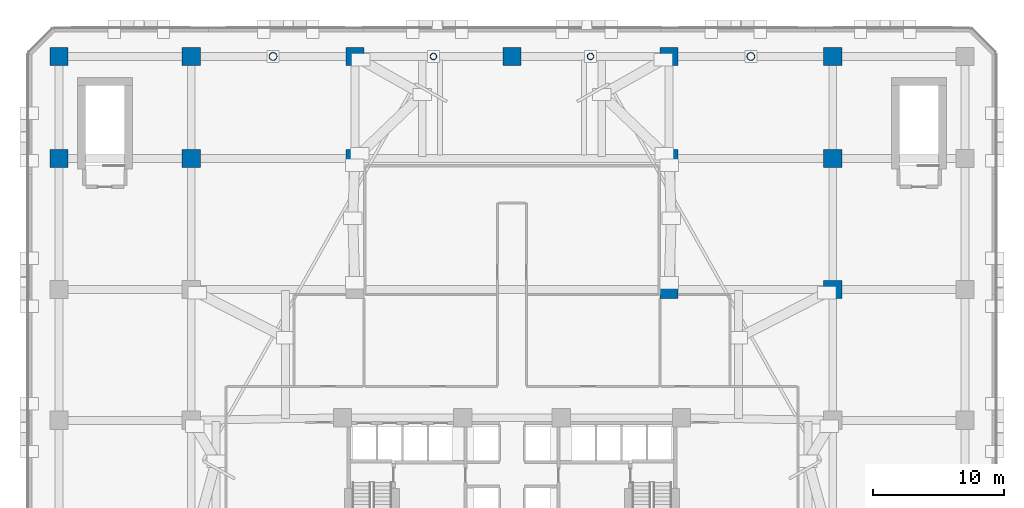
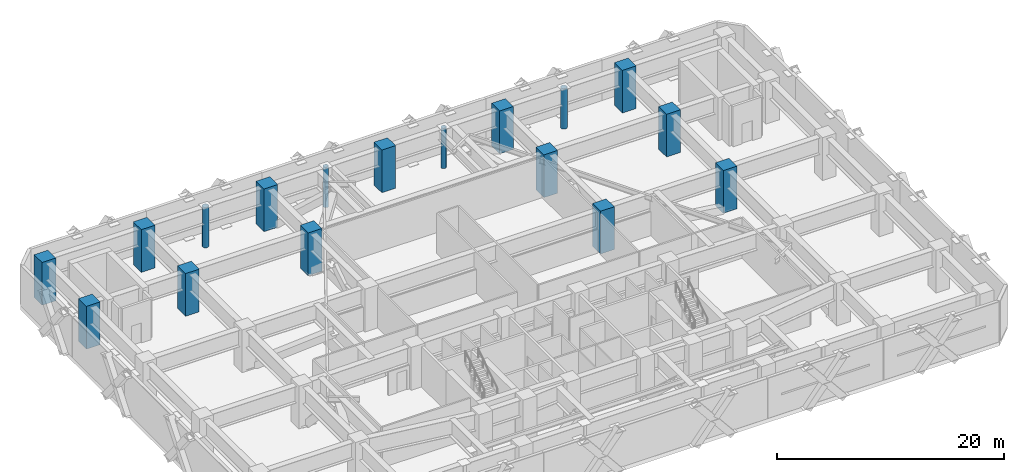
# One storey, part 4 of 14: 17 columns.
"""IFC4 building model written with IfcOpenShell, lengths in metres."""

from ifc_helpers import new_model, si_unit, direction, frame, origin, origin_2d, place, context, subcontext, project, spatial, rectangle, hollow_circle, extrude, material, material_profile, profile_set, type_object, element, save


model = new_model("IFC4")

# Units and contexts
model_context = context("Model", 3, precision=1e-05, world=origin(), true_north=direction((0.0, 1.0)))
body_context = subcontext(model_context, "Body", "Model", "MODEL_VIEW")
ifc_project = project(units=[si_unit("LENGTHUNIT", "METRE"), si_unit("AREAUNIT", "SQUARE_METRE"), si_unit("VOLUMEUNIT", "CUBIC_METRE"), si_unit("PLANEANGLEUNIT", "RADIAN"), si_unit("MASSUNIT", "GRAM", prefix="KILO")], contexts=[model_context])

# Site, building, storey
site_placement = place(None, origin())
site = spatial("IfcSite", under=ifc_project, at=site_placement, CompositionType="ELEMENT")
building_placement = place(site_placement, origin())
building = spatial("IfcBuilding", under=site, at=building_placement, Name="Quenlor Broadcast Tower", CompositionType="ELEMENT")
storey_placement = place(building_placement, frame((0.0, 0.0, 23.0)))
storey = spatial("IfcBuildingStorey", under=building, at=storey_placement, Name="L05", CompositionType="ELEMENT", Elevation=23.0)

# Columns
ifc_material_1 = material(Name="Concrete C65/80", Category="concrete")
ifc_material_profile_1 = material_profile(ifc_material_1, rectangle(XDim=1.39990234375, YDim=1.39990234375, at=origin_2d()))
ifc_profile_set_1 = profile_set([ifc_material_profile_1], Name="Concrete C65/80 RC1400x1400")
column_type_1 = type_object("IfcColumnType", Name="Podium Mega Column Concrete C65/80 1400", PredefinedType="COLUMN", material=ifc_profile_set_1)
for number, where, z_axis, x_axis, name in (
    (1, (12.0, 5.0, 0.0), (0.0, 0.0, 1.0), (1.0, 0.0, 0.0), "L05 Podium Mega Column PM18"),
    (2, (24.5, 5.0, 0.0), (0.0, 0.0, 1.0), (1.0, 0.0, 0.0), "L05 Podium Mega Column PM19"),
    (3, (-34.60009765625, 15.0, 0.0), (0.0, 0.0, 1.0), (1.0, 0.0, 0.0), "L05 Podium Mega Column PM21"),
    (4, (-24.5, 15.0, 0.0), (0.0, 0.0, 1.0), (1.0, 0.0, 0.0), "L05 Podium Mega Column PM22"),
    (5, (-12.0, 15.0, 0.0), (0.0, 0.0, 1.0), (1.0, 0.0, 0.0), "L05 Podium Mega Column PM23"),
    (6, (12.0, 15.0, 0.0), (0.0, 0.0, 1.0), (1.0, 0.0, 0.0), "L05 Podium Mega Column PM24"),
    (7, (24.5, 15.0, 0.0), (0.0, 0.0, 1.0), (1.0, 0.0, 0.0), "L05 Podium Mega Column PM25"),
    (8, (-34.60009765625, 22.800048828125, 0.0), (0.0, 0.0, 1.0), (1.0, 0.0, 0.0), "L05 Podium Mega Column PM27"),
    (9, (-24.5, 22.800048828125, 0.0), (0.0, 0.0, 1.0), (1.0, 0.0, 0.0), "L05 Podium Mega Column PM28"),
    (10, (-12.0, 22.800048828125, 0.0), (0.0, 0.0, 1.0), (1.0, 0.0, 0.0), "L05 Podium Mega Column PM29"),
    (11, (0.0, 22.800048828125, 0.0), (0.0, 0.0, 1.0), (1.0, 0.0, 0.0), "L05 Podium Mega Column PM30"),
    (12, (12.0, 22.800048828125, 0.0), (0.0, 0.0, 1.0), (1.0, 0.0, 0.0), "L05 Podium Mega Column PM31"),
    (13, (24.5, 22.800048828125, 0.0), (0.0, 0.0, 1.0), (1.0, 0.0, 0.0), "L05 Podium Mega Column PM32"),
):
    element("IfcColumn", number, at=place(storey_placement, frame(where, z_axis=z_axis, x_axis=x_axis)), inside=storey, type_object=column_type_1, Name=name, PredefinedType="COLUMN", context=body_context, shape_type="SweptSolid", body=[
        extrude(rectangle(XDim=1.39990234375, YDim=1.39990234375, at=origin_2d()), origin(), (0.0, 0.0, 1.0), 4.60009765625),
    ])
ifc_material_2 = material(Name="Steel S355", Category="steel")
ifc_material_profile_2 = material_profile(ifc_material_2, hollow_circle(Radius=0.304931640625, WallThickness=0.02490234375, at=origin_2d()))
ifc_profile_set_2 = profile_set([ifc_material_profile_2], Name="Steel S355 CHS610x25")
column_type_2 = type_object("IfcColumnType", Name="Station Concourse Column Steel S355 CHS610", PredefinedType="COLUMN", material=ifc_profile_set_2)
for number, where, z_axis, x_axis, name in (
    (14, (-18.25, 22.800048828125, 0.0), (0.0, 0.0, 1.0), (1.0, 0.0, 0.0), "L05 Station Steel Column SCW1"),
    (15, (18.25, 22.800048828125, 0.0), (0.0, 0.0, 1.0), (1.0, 0.0, 0.0), "L05 Station Steel Column SCE1"),
):
    element("IfcColumn", number, at=place(storey_placement, frame(where, z_axis=z_axis, x_axis=x_axis)), inside=storey, type_object=column_type_2, Name=name, PredefinedType="COLUMN", context=body_context, shape_type="SweptSolid", body=[
        extrude(hollow_circle(Radius=0.304931640625, WallThickness=0.02490234375, at=origin_2d()), origin(), (0.0, 0.0, 1.0), 4.340087890625),
    ])
ifc_material_3 = material(Name="Steel S355", Category="steel")
ifc_material_profile_3 = material_profile(ifc_material_3, hollow_circle(Radius=0.25390625, WallThickness=0.02197265625, at=origin_2d()))
ifc_profile_set_3 = profile_set([ifc_material_profile_3], Name="Steel S355 CHS508x22")
column_type_3 = type_object("IfcColumnType", Name="Station Portal Column Steel S355 CHS508", PredefinedType="COLUMN", material=ifc_profile_set_3)
for number, where, z_axis, x_axis, name in (
    (16, (-6.0, 22.800048828125, 0.0), (0.0, 0.0, 1.0), (1.0, 0.0, 0.0), "L05 Station Steel Column SCW2"),
    (17, (6.0, 22.800048828125, 0.0), (0.0, 0.0, 1.0), (1.0, 0.0, 0.0), "L05 Station Steel Column SCE2"),
):
    element("IfcColumn", number, at=place(storey_placement, frame(where, z_axis=z_axis, x_axis=x_axis)), inside=storey, type_object=column_type_3, Name=name, PredefinedType="COLUMN", context=body_context, shape_type="SweptSolid", body=[
        extrude(hollow_circle(Radius=0.25390625, WallThickness=0.02197265625, at=origin_2d()), origin(), (0.0, 0.0, 1.0), 4.340087890625),
    ])

save(model, "model.ifc")
